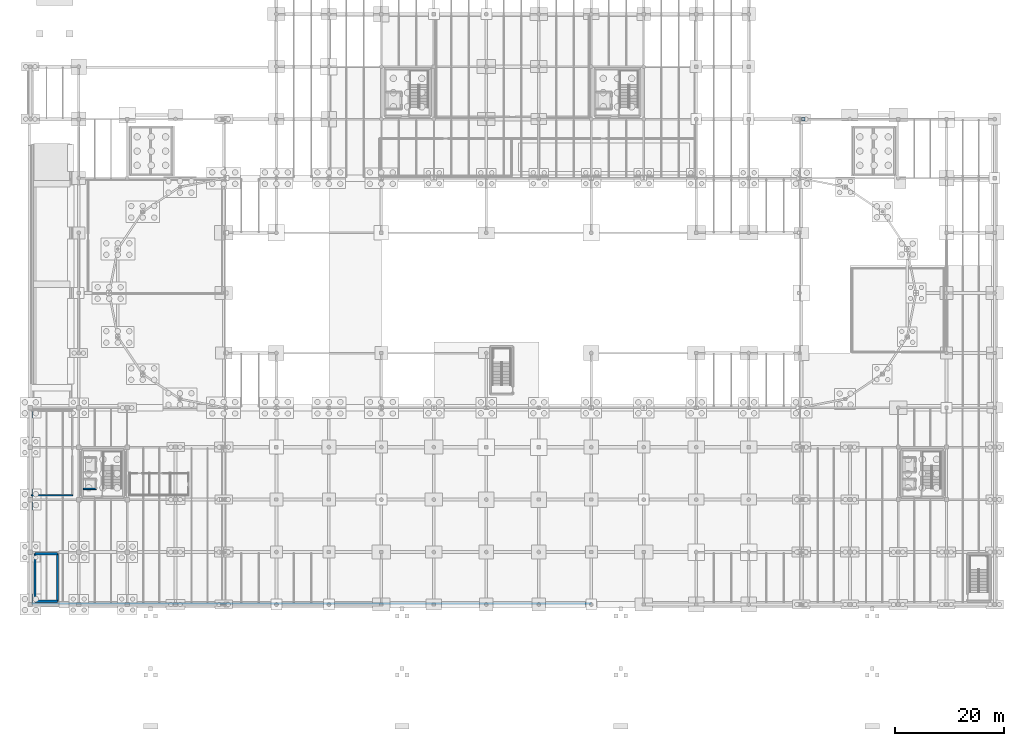
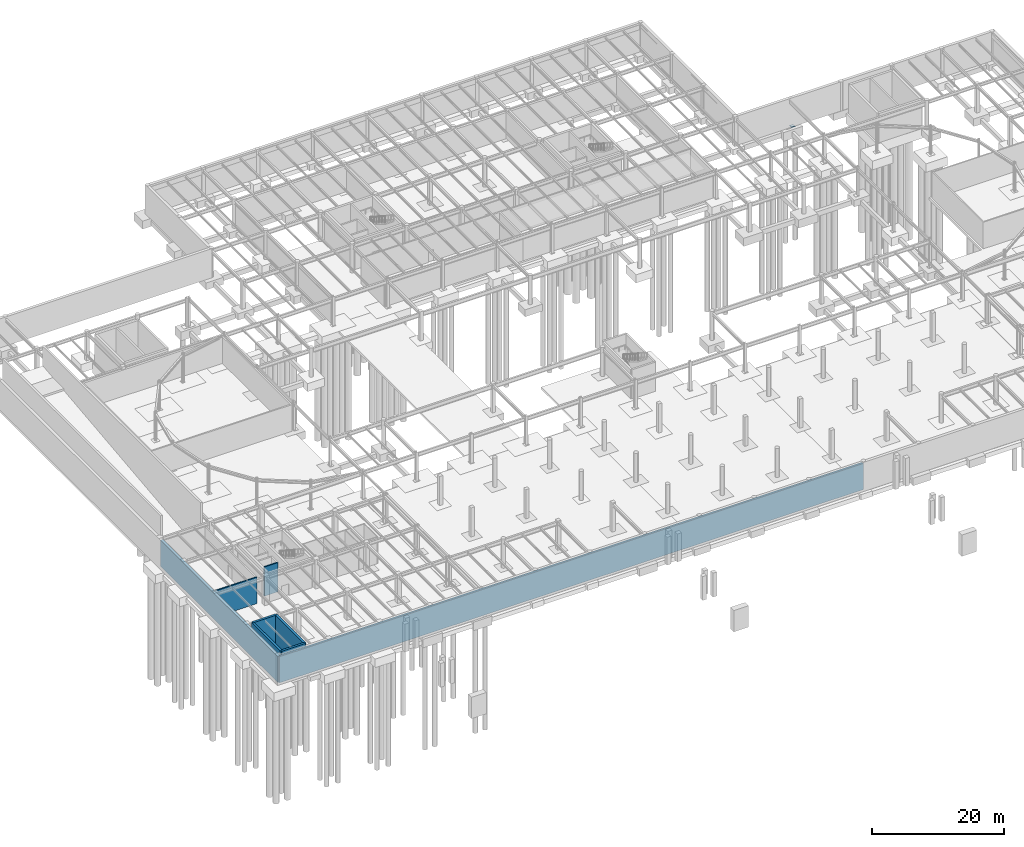
# One storey, part 40 of 50: 8 walls, 1 plate.
"""IFC4 building model written with IfcOpenShell, lengths in metres."""

from ifc_helpers import new_model, si_unit, direction, frame, frame_2d, origin, origin_2d, place, context, subcontext, project, spatial, rectangle, extrude, material, layer, layer_set, type_object, element, save


model = new_model("IFC4")

# Units and contexts
model_context = context("Model", 3, precision=1e-05, world=origin(), true_north=direction((0.0, 1.0)))
body_context = subcontext(model_context, "Body", "Model", "MODEL_VIEW")
ifc_project = project(units=[si_unit("LENGTHUNIT", "METRE"), si_unit("AREAUNIT", "SQUARE_METRE"), si_unit("VOLUMEUNIT", "CUBIC_METRE"), si_unit("PLANEANGLEUNIT", "RADIAN"), si_unit("MASSUNIT", "GRAM", prefix="KILO")], contexts=[model_context])

# Site, building, storey
site_placement = place(None, origin())
site = spatial("IfcSite", under=ifc_project, at=site_placement, CompositionType="ELEMENT")
building_placement = place(site_placement, origin())
building = spatial("IfcBuilding", under=site, at=building_placement, Name="Yeouljin Market Hall", CompositionType="ELEMENT")
storey_placement = place(building_placement, frame((0.0, 0.0, -5.39990234375)))
storey = spatial("IfcBuildingStorey", under=building, at=storey_placement, Name="B1", CompositionType="ELEMENT", Elevation=-5.39990234375)

# Plate
ifc_material_1 = material(Name="Steel SM355", Category="steel")
ifc_layer_1 = layer(ifc_material_1, 0.030029296875)
ifc_layer_set_1 = layer_set([ifc_layer_1], Name="Steel SM355")
plate_type = type_object("IfcPlateType", Name="BasePlate_620x620x30", PredefinedType="USERDEFINED", material=ifc_layer_set_1)
plate_placement = place(storey_placement, frame((141.39990234375, 88.800048828125, 0.0), z_axis=(0.0, 0.0, 1.0), x_axis=(1.0, 0.0, 0.0)))
element("IfcPlate", 1, at=plate_placement, inside=storey, type_object=plate_type, Name="Column base plate 050", ObjectType="BASE PLATE", PredefinedType="USERDEFINED", context=body_context, shape_type="SweptSolid", body=[
    extrude(rectangle(XDim=0.6201171875, YDim=0.6201171875, at=origin_2d()), origin(), (0.0, 0.0, 1.0), 0.030029296875),
])

# Walls
ifc_material_2 = material(Name="Gypsum Board Fire Partition")
ifc_layer_2 = layer(ifc_material_2, 0.2099609375)
ifc_layer_set_2 = layer_set([ifc_layer_2], Name="Gypsum Board Fire Partition")
wall_type_1 = type_object("IfcWallType", Name="Part_FireCorridor_210", PredefinedType="PARTITIONING", material=ifc_layer_set_2)
wall_1_placement = place(storey_placement, frame((0.199951171875, 20.0, 0.0), z_axis=(0.0, 0.0, 1.0), x_axis=(1.0, 0.0, 0.0)))
element("IfcWall", 2, at=wall_1_placement, inside=storey, type_object=wall_type_1, Name="Interior partition PART-B1-0024", PredefinedType="PARTITIONING", context=body_context, shape_type="SweptSolid", body=[
    extrude(rectangle(XDim=7.530029296875, YDim=0.2099609375, at=frame_2d((3.76513671875, 0.0))), origin(), (0.0, 0.0, 1.0), 4.919921875),
])
ifc_material_3 = material(Name="Concrete C35/45", Category="concrete")
ifc_layer_3 = layer(ifc_material_3, 0.260009765625)
ifc_layer_set_3 = layer_set([ifc_layer_3], Name="Concrete C35/45")
wall_type_2 = type_object("IfcWallType", Name="Wall_Compartment_260", PredefinedType="SHEAR", material=ifc_layer_set_3)
wall_2_placement = place(storey_placement, frame((9.699951171875, 21.14990234375, 0.0), z_axis=(0.0, 0.0, 1.0), x_axis=(1.0, 0.0, 0.0)))
element("IfcWall", 3, at=wall_2_placement, inside=storey, type_object=wall_type_2, Name="Lift LP-01 shaft cheek wall S (B1)", PredefinedType="SHEAR", context=body_context, shape_type="SweptSolid", body=[
    extrude(rectangle(XDim=2.35498046875, YDim=0.260009765625, at=frame_2d((1.177490234375, 0.0))), origin(), (0.0, 0.0, 1.0), 5.39990234375),
])
ifc_material_4 = material(Name="Concrete C35/45", Category="concrete")
ifc_layer_4 = layer(ifc_material_4, 0.3798828125)
ifc_layer_set_4 = layer_set([ifc_layer_4], Name="Concrete C35/45")
wall_type_3 = type_object("IfcWallType", Name="Wall_CoreShear_380", PredefinedType="SHEAR", material=ifc_layer_set_4)
for number, where, z_axis, x_axis, name in (
    (4, (0.85009765625, 0.60009765625, 0.0), (0.0, 0.0, 1.0), (1.0, 0.0, 0.0), "Core S7 substructure shear wall S"),
    (5, (4.949951171875, 9.300048828125, 0.0), (0.0, 0.0, 1.0), (-1.0, 0.0, 0.0), "Core S7 substructure shear wall N"),
):
    element("IfcWall", number, at=place(storey_placement, frame(where, z_axis=z_axis, x_axis=x_axis)), inside=storey, type_object=wall_type_3, Name=name, PredefinedType="SHEAR", context=body_context, shape_type="SweptSolid", body=[
        extrude(rectangle(XDim=4.099853515625, YDim=0.3798828125, at=frame_2d((2.0498046875, 0.0))), origin(), (0.0, 0.0, 1.0), 5.39990234375),
    ])
for number, where, z_axis, x_axis, name in (
    (6, (0.85009765625, 9.300048828125, 0.0), (0.0, 0.0, 1.0), (0.0, -1.0, 0.0), "Core S7 substructure shear wall W"),
    (7, (4.949951171875, 0.60009765625, 0.0), (0.0, 0.0, 1.0), (0.0, 1.0, 0.0), "Core S7 substructure shear wall E"),
):
    element("IfcWall", number, at=place(storey_placement, frame(where, z_axis=z_axis, x_axis=x_axis)), inside=storey, type_object=wall_type_3, Name=name, PredefinedType="SHEAR", context=body_context, shape_type="SweptSolid", body=[
        extrude(rectangle(XDim=8.699951171875, YDim=0.3798828125, at=frame_2d((4.35009765625, 0.0))), origin(), (0.0, 0.0, 1.0), 5.39990234375),
    ])
ifc_material_5 = material(Name="Concrete C35/45", Category="concrete")
ifc_layer_5 = layer(ifc_material_5, 0.39990234375)
ifc_layer_set_5 = layer_set([ifc_layer_5], Name="Concrete C35/45")
wall_type_4 = type_object("IfcWallType", Name="Wall_Retaining_RC400", PredefinedType="USERDEFINED", material=ifc_layer_set_5)
wall_3_placement = place(storey_placement, frame((102.60009765625, 0.199951171875, 0.0), z_axis=(0.0, 0.0, 1.0), x_axis=(-1.0, 0.0, 0.0)))
element("IfcWall", 8, at=wall_3_placement, inside=storey, type_object=wall_type_4, Name="Exterior wall W-B1-S1", ObjectType="RETAININGWALL", PredefinedType="USERDEFINED", context=body_context, shape_type="SweptSolid", body=[
    extrude(rectangle(XDim=102.400146484375, YDim=0.39990234375, at=frame_2d((51.2001953125, 0.0))), origin(), (0.0, 0.0, 1.0), 4.849853515625),
])
wall_4_placement = place(storey_placement, frame((0.199951171875, 0.199951171875, 0.0), z_axis=(0.0, 0.0, 1.0), x_axis=(0.0, 1.0, 0.0)))
element("IfcWall", 9, at=wall_4_placement, inside=storey, type_object=wall_type_4, Name="Exterior wall W-B1-W1A", ObjectType="RETAININGWALL", PredefinedType="USERDEFINED", context=body_context, shape_type="SweptSolid", body=[
    extrude(rectangle(XDim=35.60009765625, YDim=0.39990234375, at=frame_2d((17.800048828125, 0.0))), origin(), (0.0, 0.0, 1.0), 4.849853515625),
])

save(model, "model.ifc")
